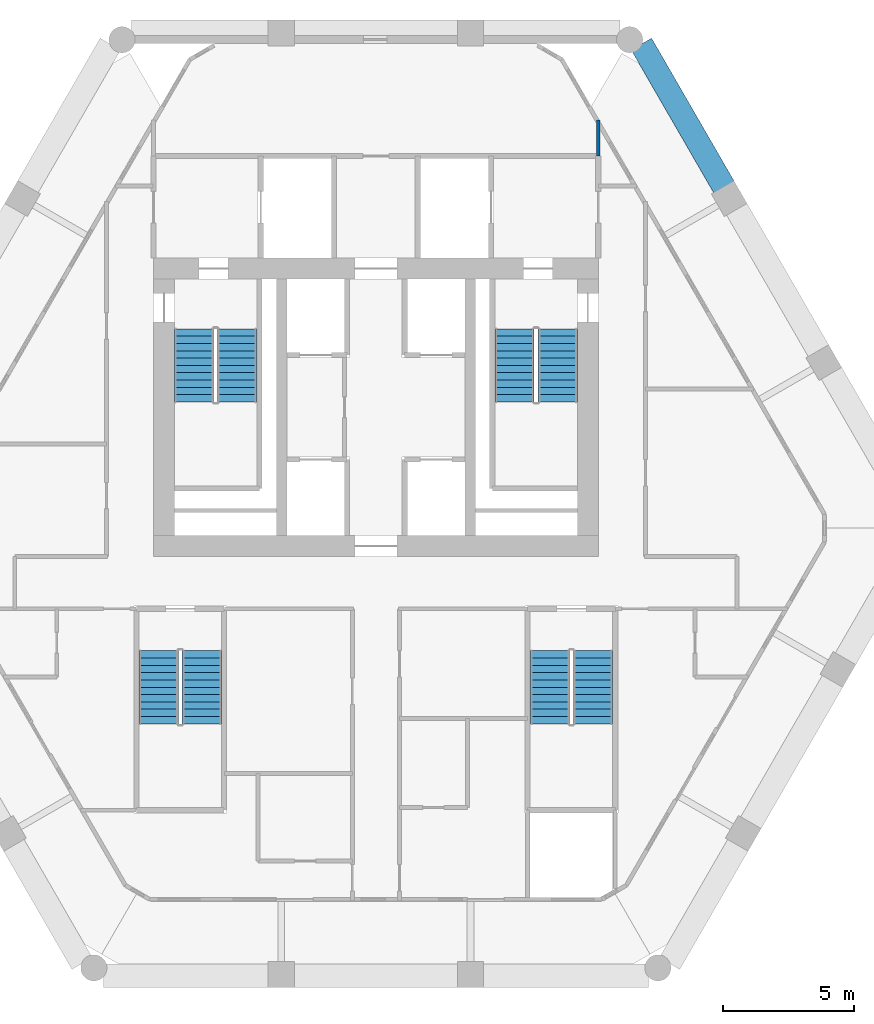
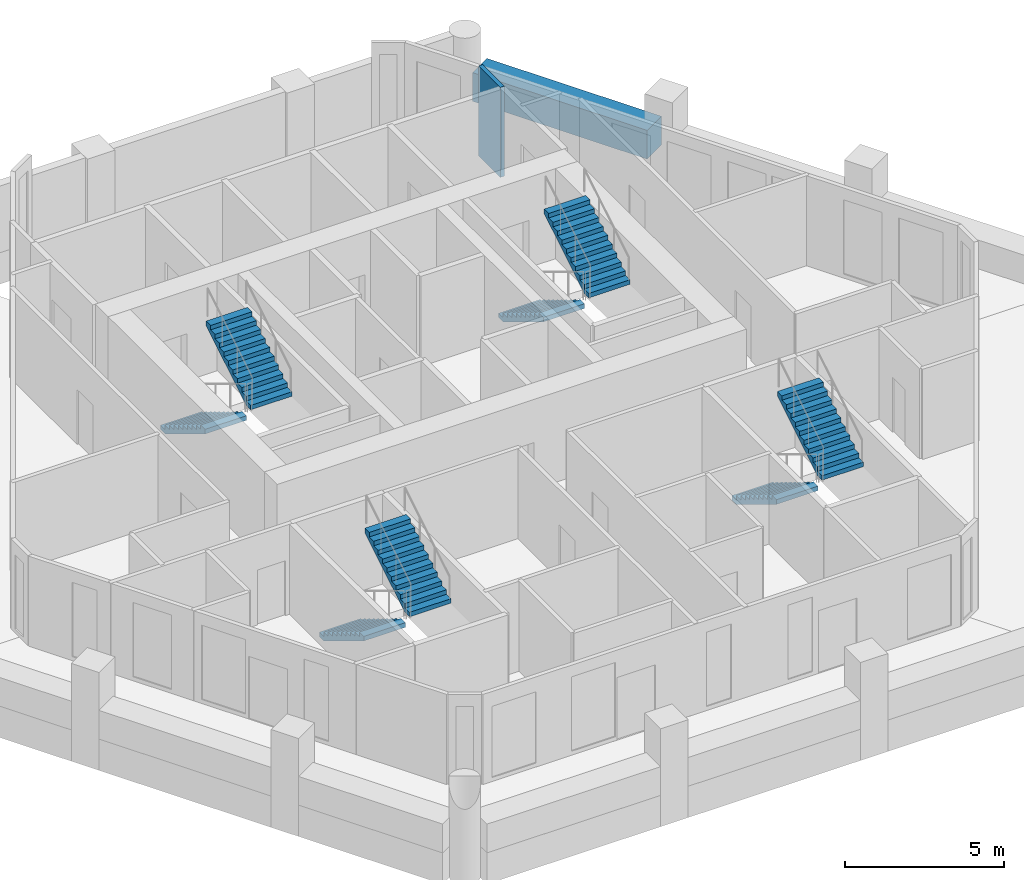
# One storey, part 6 of 7: 8 stair flights, 2 walls, 4 elements without a shape of their own.
"""IFC4 building model written with IfcOpenShell, lengths in metres."""

from ifc_helpers import new_model, si_unit, direction, frame, frame_2d, origin, place, context, subcontext, project, spatial, polyline, rectangle, outline, extrude, material, layer, layer_set, type_object, element, aggregate, save


model = new_model("IFC4")

# Units and contexts
model_context = context("Model", 3, precision=1e-05, world=origin(), true_north=direction((0.0, 1.0)))
body_context = subcontext(model_context, "Body", "Model", "MODEL_VIEW")
ifc_project = project(units=[si_unit("LENGTHUNIT", "METRE"), si_unit("AREAUNIT", "SQUARE_METRE"), si_unit("VOLUMEUNIT", "CUBIC_METRE"), si_unit("PLANEANGLEUNIT", "RADIAN"), si_unit("MASSUNIT", "GRAM", prefix="KILO")], contexts=[model_context])

# Site, building, storey
site_placement = place(None, origin())
site = spatial("IfcSite", under=ifc_project, at=site_placement, CompositionType="ELEMENT")
building_placement = place(site_placement, origin())
building = spatial("IfcBuilding", under=site, at=building_placement, Name="Ostrander Bayou Hotel Tower", CompositionType="ELEMENT")
storey_placement = place(building_placement, frame((0.0, 0.0, 179.5)))
storey = spatial("IfcBuildingStorey", under=building, at=storey_placement, Name="L44", CompositionType="ELEMENT", Elevation=179.5)

# Walls
ifc_material_1 = material(Name="Concrete f'c 40 MPa", Category="concrete")
ifc_layer_1 = layer(ifc_material_1, 0.89990234375)
ifc_layer_set_1 = layer_set([ifc_layer_1], Name="PA1 stone-faced parapet 900 mm")
wall_type_1 = type_object("IfcWallType", Name="PA1 stone-faced parapet 900 mm", PredefinedType="PARAPET", material=ifc_layer_set_1)
wall_1_placement = place(storey_placement, frame((13.30908203125, 12.404296875, 0.0), z_axis=(0.0, 0.0, 1.0), x_axis=(-0.500000968981, 0.866024844342, 0.0)))
element("IfcWall", 1, at=wall_1_placement, inside=storey, type_object=wall_type_1, Name="PA1 L44 NE-3", PredefinedType="PARAPET", context=body_context, shape_type="SweptSolid", body=[
    extrude(rectangle(XDim=6.3232421875, YDim=0.89990234375, at=frame_2d((3.16162109375, 0.0))), origin(), (0.0, 0.0, 1.0), 1.10009765625),
])
ifc_material_2 = material(Name="Gypsum board partition", Category="finish")
ifc_layer_2 = layer(ifc_material_2, 0.14990234375)
ifc_layer_set_2 = layer_set([ifc_layer_2], Name="PT8 service band wall 150 mm, 1 hour")
wall_type_2 = type_object("IfcWallType", Name="PT8 service band wall 150 mm, 1 hour", PredefinedType="PARTITIONING", material=ifc_layer_set_2)
wall_2_placement = place(storey_placement, frame((8.5, 13.610107421875, 0.0), z_axis=(0.0, 0.0, 1.0), x_axis=(0.0, 1.0, 0.0)))
element("IfcWall", 2, at=wall_2_placement, inside=storey, type_object=wall_type_2, Name="gw:L44:022", PredefinedType="PARTITIONING", context=body_context, shape_type="SweptSolid", body=[
    extrude(rectangle(XDim=1.364013671875, YDim=0.14990234375, at=frame_2d((0.68212890625, 0.0))), origin(), (0.0, 0.0, 1.0), 3.449951171875),
])

# Stair, stair flights
ifc_material_3 = material(Name="Concrete f'c 45 MPa", Category="concrete")
stair_type = type_object("IfcStairType", Name="ST1 exit stair 1500 mm f'c 45 MPa", PredefinedType="HALF_TURN_STAIR", material=ifc_material_3)
stair_1_placement = place(storey_placement, origin())
stair_1 = element("IfcStair", 3, at=stair_1_placement, inside=storey, type_object=stair_type, Name="L44 exit stair A", PredefinedType="HALF_TURN_STAIR")
ifc_material_4 = material(Name="Concrete f'c 45 MPa", Category="concrete")
stair_flight_type = type_object("IfcStairFlightType", Name="SF1 stair flight 1500 mm f'c 45 MPa", PredefinedType="STRAIGHT", material=ifc_material_4)
stair_flight_1_placement = place(storey_placement, frame((-6.949951171875, 7.0, 0.0), z_axis=(0.0, 0.0, 1.0), x_axis=(0.0, -1.0, 0.0)))
stair_flight_1 = element("IfcStairFlight", 4, at=stair_flight_1_placement, type_object=stair_flight_type, Name="STA flight 1", NumberOfRisers=11, NumberOfTreads=10, PredefinedType="STRAIGHT", RiserHeight=0.170454545, TreadLength=0.28, context=body_context, shape_type="SweptSolid", body=[
    extrude(outline(polyline([(0.0, 0.0), (0.0, 0.17041015625), (0.280029296875, 0.17041015625), (0.280029296875, 0.3408203125), (0.56005859375, 0.3408203125), (0.56005859375, 0.511474609375), (0.840087890625, 0.511474609375), (0.840087890625, 0.681884765625), (1.1201171875, 0.681884765625), (1.1201171875, 0.852294921875), (1.39990234375, 0.852294921875), (1.39990234375, 1.022705078125), (1.679931640625, 1.022705078125), (1.679931640625, 1.193115234375), (1.9599609375, 1.193115234375), (1.9599609375, 1.363525390625), (2.239990234375, 1.363525390625), (2.239990234375, 1.5341796875), (2.52001953125, 1.5341796875), (2.52001953125, 1.70458984375), (2.800048828125, 1.70458984375), (2.800048828125, 1.875), (2.800048828125, 1.529052734375), (0.288330078125, 0.0), (0.0, 0.0)])), frame((0.0, 0.75, 0.0), z_axis=(0.0, -1.0, 0.0), x_axis=(1.0, 0.0, 0.0)), (0.0, 0.0, 1.0), 1.5),
])
stair_flight_2_placement = place(storey_placement, frame((-5.300048828125, 4.199951171875, 1.875), z_axis=(0.0, 0.0, 1.0), x_axis=(0.0, 1.0, 0.0)))
stair_flight_2 = element("IfcStairFlight", 5, at=stair_flight_2_placement, type_object=stair_flight_type, Name="STA flight 2", NumberOfRisers=11, NumberOfTreads=10, PredefinedType="STRAIGHT", RiserHeight=0.170454545, TreadLength=0.28, context=body_context, shape_type="SweptSolid", body=[
    extrude(outline(polyline([(0.0, 0.0), (0.0, 0.17041015625), (0.280029296875, 0.17041015625), (0.280029296875, 0.3408203125), (0.56005859375, 0.3408203125), (0.56005859375, 0.511474609375), (0.840087890625, 0.511474609375), (0.840087890625, 0.681884765625), (1.1201171875, 0.681884765625), (1.1201171875, 0.852294921875), (1.39990234375, 0.852294921875), (1.39990234375, 1.022705078125), (1.679931640625, 1.022705078125), (1.679931640625, 1.193115234375), (1.9599609375, 1.193115234375), (1.9599609375, 1.363525390625), (2.239990234375, 1.363525390625), (2.239990234375, 1.5341796875), (2.52001953125, 1.5341796875), (2.52001953125, 1.70458984375), (2.800048828125, 1.70458984375), (2.800048828125, 1.875), (2.800048828125, 1.529052734375), (0.288330078125, 0.0), (0.0, 0.0)])), frame((0.0, 0.75, 0.0), z_axis=(0.0, -1.0, 0.0), x_axis=(1.0, 0.0, 0.0)), (0.0, 0.0, 1.0), 1.5),
])
aggregate(stair_1, [stair_flight_1, stair_flight_2])

stair_2_placement = place(storey_placement, origin())
stair_2 = element("IfcStair", 6, at=stair_2_placement, inside=storey, type_object=stair_type, Name="L44 exit stair B", PredefinedType="HALF_TURN_STAIR")
stair_flight_3_placement = place(storey_placement, frame((5.300048828125, 7.0, 0.0), z_axis=(0.0, 0.0, 1.0), x_axis=(0.0, -1.0, 0.0)))
stair_flight_3 = element("IfcStairFlight", 7, at=stair_flight_3_placement, type_object=stair_flight_type, Name="STB flight 1", NumberOfRisers=11, NumberOfTreads=10, PredefinedType="STRAIGHT", RiserHeight=0.170454545, TreadLength=0.28, context=body_context, shape_type="SweptSolid", body=[
    extrude(outline(polyline([(0.0, 0.0), (0.0, 0.17041015625), (0.280029296875, 0.17041015625), (0.280029296875, 0.3408203125), (0.56005859375, 0.3408203125), (0.56005859375, 0.511474609375), (0.840087890625, 0.511474609375), (0.840087890625, 0.681884765625), (1.1201171875, 0.681884765625), (1.1201171875, 0.852294921875), (1.39990234375, 0.852294921875), (1.39990234375, 1.022705078125), (1.679931640625, 1.022705078125), (1.679931640625, 1.193115234375), (1.9599609375, 1.193115234375), (1.9599609375, 1.363525390625), (2.239990234375, 1.363525390625), (2.239990234375, 1.5341796875), (2.52001953125, 1.5341796875), (2.52001953125, 1.70458984375), (2.800048828125, 1.70458984375), (2.800048828125, 1.875), (2.800048828125, 1.529052734375), (0.288330078125, 0.0), (0.0, 0.0)])), frame((0.0, 0.75, 0.0), z_axis=(0.0, -1.0, 0.0), x_axis=(1.0, 0.0, 0.0)), (0.0, 0.0, 1.0), 1.5),
])
stair_flight_4_placement = place(storey_placement, frame((6.949951171875, 4.199951171875, 1.875), z_axis=(0.0, 0.0, 1.0), x_axis=(0.0, 1.0, 0.0)))
stair_flight_4 = element("IfcStairFlight", 8, at=stair_flight_4_placement, type_object=stair_flight_type, Name="STB flight 2", NumberOfRisers=11, NumberOfTreads=10, PredefinedType="STRAIGHT", RiserHeight=0.170454545, TreadLength=0.28, context=body_context, shape_type="SweptSolid", body=[
    extrude(outline(polyline([(0.0, 0.0), (0.0, 0.17041015625), (0.280029296875, 0.17041015625), (0.280029296875, 0.3408203125), (0.56005859375, 0.3408203125), (0.56005859375, 0.511474609375), (0.840087890625, 0.511474609375), (0.840087890625, 0.681884765625), (1.1201171875, 0.681884765625), (1.1201171875, 0.852294921875), (1.39990234375, 0.852294921875), (1.39990234375, 1.022705078125), (1.679931640625, 1.022705078125), (1.679931640625, 1.193115234375), (1.9599609375, 1.193115234375), (1.9599609375, 1.363525390625), (2.239990234375, 1.363525390625), (2.239990234375, 1.5341796875), (2.52001953125, 1.5341796875), (2.52001953125, 1.70458984375), (2.800048828125, 1.70458984375), (2.800048828125, 1.875), (2.800048828125, 1.529052734375), (0.288330078125, 0.0), (0.0, 0.0)])), frame((0.0, 0.75, 0.0), z_axis=(0.0, -1.0, 0.0), x_axis=(1.0, 0.0, 0.0)), (0.0, 0.0, 1.0), 1.5),
])
aggregate(stair_2, [stair_flight_3, stair_flight_4])

stair_3_placement = place(storey_placement, origin())
stair_3 = element("IfcStair", 9, at=stair_3_placement, inside=storey, type_object=stair_type, Name="L44 exit stair C", PredefinedType="HALF_TURN_STAIR")
stair_flight_5_placement = place(storey_placement, frame((6.64990234375, -5.300048828125, 0.0), z_axis=(0.0, 0.0, 1.0), x_axis=(0.0, -1.0, 0.0)))
stair_flight_5 = element("IfcStairFlight", 10, at=stair_flight_5_placement, type_object=stair_flight_type, Name="STC flight 1", NumberOfRisers=11, NumberOfTreads=10, PredefinedType="STRAIGHT", RiserHeight=0.170454545, TreadLength=0.28, context=body_context, shape_type="SweptSolid", body=[
    extrude(outline(polyline([(0.0, 0.0), (0.0, 0.17041015625), (0.280029296875, 0.17041015625), (0.280029296875, 0.3408203125), (0.56005859375, 0.3408203125), (0.56005859375, 0.511474609375), (0.840087890625, 0.511474609375), (0.840087890625, 0.681884765625), (1.1201171875, 0.681884765625), (1.1201171875, 0.852294921875), (1.39990234375, 0.852294921875), (1.39990234375, 1.022705078125), (1.679931640625, 1.022705078125), (1.679931640625, 1.193115234375), (1.9599609375, 1.193115234375), (1.9599609375, 1.363525390625), (2.239990234375, 1.363525390625), (2.239990234375, 1.5341796875), (2.52001953125, 1.5341796875), (2.52001953125, 1.70458984375), (2.800048828125, 1.70458984375), (2.800048828125, 1.875), (2.800048828125, 1.529052734375), (0.288330078125, 0.0), (0.0, 0.0)])), frame((0.0, 0.75, 0.0), z_axis=(0.0, -1.0, 0.0), x_axis=(1.0, 0.0, 0.0)), (0.0, 0.0, 1.0), 1.5),
])
stair_flight_6_placement = place(storey_placement, frame((8.300048828125, -8.10009765625, 1.875), z_axis=(0.0, 0.0, 1.0), x_axis=(0.0, 1.0, 0.0)))
stair_flight_6 = element("IfcStairFlight", 11, at=stair_flight_6_placement, type_object=stair_flight_type, Name="STC flight 2", NumberOfRisers=11, NumberOfTreads=10, PredefinedType="STRAIGHT", RiserHeight=0.170454545, TreadLength=0.28, context=body_context, shape_type="SweptSolid", body=[
    extrude(outline(polyline([(0.0, 0.0), (0.0, 0.17041015625), (0.280029296875, 0.17041015625), (0.280029296875, 0.3408203125), (0.56005859375, 0.3408203125), (0.56005859375, 0.511474609375), (0.840087890625, 0.511474609375), (0.840087890625, 0.681884765625), (1.1201171875, 0.681884765625), (1.1201171875, 0.852294921875), (1.39990234375, 0.852294921875), (1.39990234375, 1.022705078125), (1.679931640625, 1.022705078125), (1.679931640625, 1.193115234375), (1.9599609375, 1.193115234375), (1.9599609375, 1.363525390625), (2.239990234375, 1.363525390625), (2.239990234375, 1.5341796875), (2.52001953125, 1.5341796875), (2.52001953125, 1.70458984375), (2.800048828125, 1.70458984375), (2.800048828125, 1.875), (2.800048828125, 1.529052734375), (0.288330078125, 0.0), (0.0, 0.0)])), frame((0.0, 0.75, 0.0), z_axis=(0.0, -1.0, 0.0), x_axis=(1.0, 0.0, 0.0)), (0.0, 0.0, 1.0), 1.5),
])
aggregate(stair_3, [stair_flight_5, stair_flight_6])

stair_4_placement = place(storey_placement, origin())
stair_4 = element("IfcStair", 12, at=stair_4_placement, inside=storey, type_object=stair_type, Name="L44 exit stair D", PredefinedType="HALF_TURN_STAIR")
stair_flight_7_placement = place(storey_placement, frame((-8.300048828125, -5.300048828125, 0.0), z_axis=(0.0, 0.0, 1.0), x_axis=(0.0, -1.0, 0.0)))
stair_flight_7 = element("IfcStairFlight", 13, at=stair_flight_7_placement, type_object=stair_flight_type, Name="STD flight 1", NumberOfRisers=11, NumberOfTreads=10, PredefinedType="STRAIGHT", RiserHeight=0.170454545, TreadLength=0.28, context=body_context, shape_type="SweptSolid", body=[
    extrude(outline(polyline([(0.0, 0.0), (0.0, 0.17041015625), (0.280029296875, 0.17041015625), (0.280029296875, 0.3408203125), (0.56005859375, 0.3408203125), (0.56005859375, 0.511474609375), (0.840087890625, 0.511474609375), (0.840087890625, 0.681884765625), (1.1201171875, 0.681884765625), (1.1201171875, 0.852294921875), (1.39990234375, 0.852294921875), (1.39990234375, 1.022705078125), (1.679931640625, 1.022705078125), (1.679931640625, 1.193115234375), (1.9599609375, 1.193115234375), (1.9599609375, 1.363525390625), (2.239990234375, 1.363525390625), (2.239990234375, 1.5341796875), (2.52001953125, 1.5341796875), (2.52001953125, 1.70458984375), (2.800048828125, 1.70458984375), (2.800048828125, 1.875), (2.800048828125, 1.529052734375), (0.288330078125, 0.0), (0.0, 0.0)])), frame((0.0, 0.75, 0.0), z_axis=(0.0, -1.0, 0.0), x_axis=(1.0, 0.0, 0.0)), (0.0, 0.0, 1.0), 1.5),
])
stair_flight_8_placement = place(storey_placement, frame((-6.64990234375, -8.10009765625, 1.875), z_axis=(0.0, 0.0, 1.0), x_axis=(0.0, 1.0, 0.0)))
stair_flight_8 = element("IfcStairFlight", 14, at=stair_flight_8_placement, type_object=stair_flight_type, Name="STD flight 2", NumberOfRisers=11, NumberOfTreads=10, PredefinedType="STRAIGHT", RiserHeight=0.170454545, TreadLength=0.28, context=body_context, shape_type="SweptSolid", body=[
    extrude(outline(polyline([(0.0, 0.0), (0.0, 0.17041015625), (0.280029296875, 0.17041015625), (0.280029296875, 0.3408203125), (0.56005859375, 0.3408203125), (0.56005859375, 0.511474609375), (0.840087890625, 0.511474609375), (0.840087890625, 0.681884765625), (1.1201171875, 0.681884765625), (1.1201171875, 0.852294921875), (1.39990234375, 0.852294921875), (1.39990234375, 1.022705078125), (1.679931640625, 1.022705078125), (1.679931640625, 1.193115234375), (1.9599609375, 1.193115234375), (1.9599609375, 1.363525390625), (2.239990234375, 1.363525390625), (2.239990234375, 1.5341796875), (2.52001953125, 1.5341796875), (2.52001953125, 1.70458984375), (2.800048828125, 1.70458984375), (2.800048828125, 1.875), (2.800048828125, 1.529052734375), (0.288330078125, 0.0), (0.0, 0.0)])), frame((0.0, 0.75, 0.0), z_axis=(0.0, -1.0, 0.0), x_axis=(1.0, 0.0, 0.0)), (0.0, 0.0, 1.0), 1.5),
])
aggregate(stair_4, [stair_flight_7, stair_flight_8])

save(model, "model.ifc")
